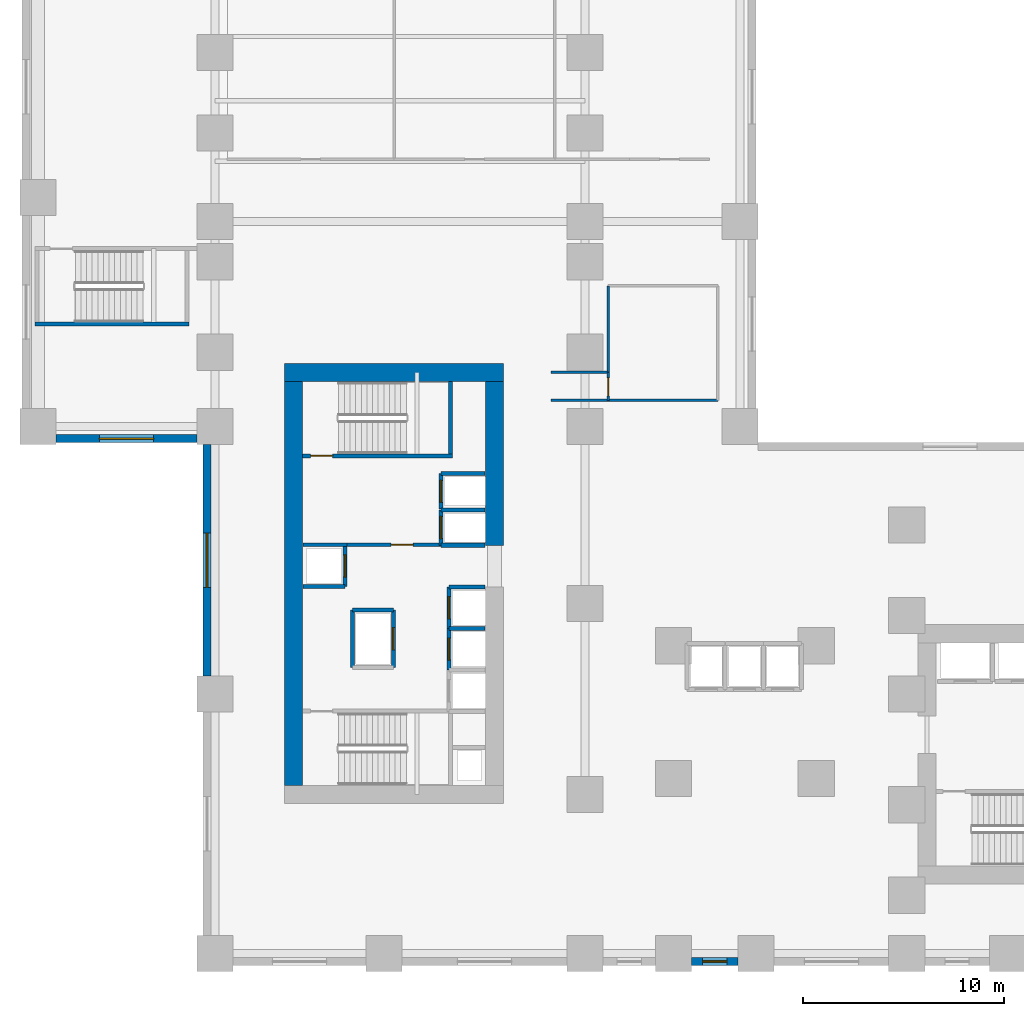
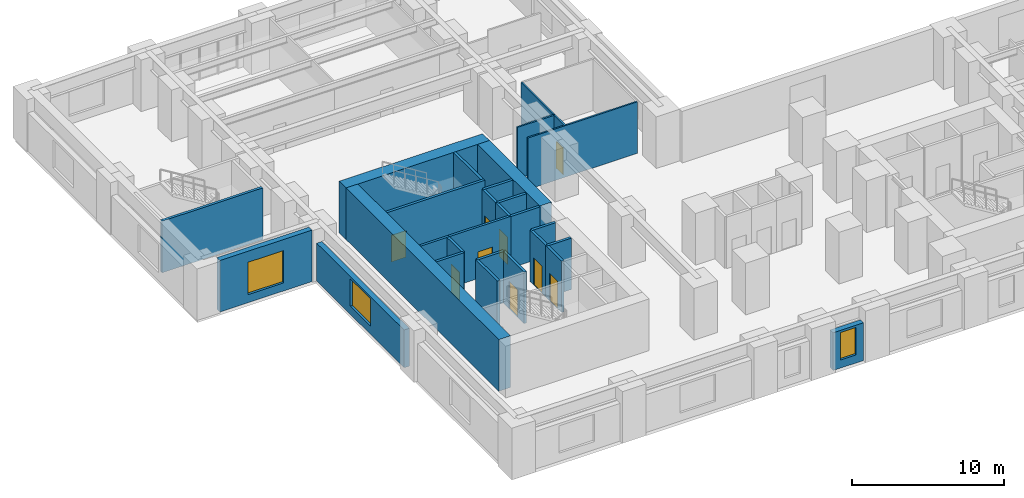
# One storey, part 5 of 11: 29 walls, 9 doors, 3 windows, 12 openings.
"""IFC4 building model written with IfcOpenShell, lengths in metres."""

from ifc_helpers import new_model, si_unit, direction, frame, frame_2d, origin, place, context, subcontext, project, spatial, rectangle, extrude, source, transform, mapped, material, layer, layer_set, type_object, element, fill, save


model = new_model("IFC4")

# Units and contexts
model_context = context("Model", 3, precision=1e-05, world=origin(), true_north=direction((0.0, 1.0)))
body_context = subcontext(model_context, "Body", "Model", "MODEL_VIEW")
ifc_project = project(units=[si_unit("LENGTHUNIT", "METRE"), si_unit("AREAUNIT", "SQUARE_METRE"), si_unit("VOLUMEUNIT", "CUBIC_METRE"), si_unit("PLANEANGLEUNIT", "RADIAN"), si_unit("MASSUNIT", "GRAM", prefix="KILO")], contexts=[model_context])

# Site, building, storey
site_placement = place(None, origin())
site = spatial("IfcSite", under=ifc_project, at=site_placement, CompositionType="ELEMENT")
building_placement = place(site_placement, origin())
building = spatial("IfcBuilding", under=site, at=building_placement, Name="Kharzan Plaza Tower", CompositionType="ELEMENT")
storey_placement = place(building_placement, frame((0.0, 0.0, 13.5)))
storey = spatial("IfcBuildingStorey", under=building, at=storey_placement, Name="L03", CompositionType="ELEMENT", Elevation=13.5)

# Wall, opening, door
ifc_material_1 = material(Name="Concrete C40/50", Category="concrete")
ifc_layer_1 = layer(ifc_material_1, 0.179931640625)
ifc_layer_set_1 = layer_set([ifc_layer_1], Name="Concrete C40/50")
wall_type_1 = type_object("IfcWallType", Name="WL-INT-FIRE-180", PredefinedType="PARTITIONING", material=ifc_layer_set_1)
wall_1_placement = place(storey_placement, frame((7.14990234375, 20.919921875, 0.0), z_axis=(0.0, 0.0, 1.0), x_axis=(1.0, 0.0, 0.0)))
wall_1 = element("IfcWall", 1, at=wall_1_placement, inside=storey, type_object=wall_type_1, Name="L03 Interior Partition CA-FF-S", PredefinedType="PARTITIONING", context=body_context, shape_type="SweptSolid", body=[
    extrude(rectangle(XDim=4.68017578125, YDim=0.179931640625, at=frame_2d((2.340087890625, 0.0))), origin(), (0.0, 0.0, 1.0), 4.135009765625),
])
opening_1_placement = place(wall_1_placement, frame((2.199951171875, 0.0, 0.0)))
opening_1 = element("IfcOpeningElement", 2, at=opening_1_placement, cuts=wall_1, Name="Opening FD1", PredefinedType="OPENING", context=body_context, shape_type="SweptSolid", body=[
    extrude(rectangle(XDim=1.10009765625, YDim=2.14990234375, at=frame_2d((0.550048828125, 1.074951171875))), frame((0.0, 0.099853515625, 0.0), z_axis=(0.0, -1.0, 0.0), x_axis=(1.0, 0.0, 0.0)), (0.0, 0.0, 1.0), 0.199951171875),
])
ifc_material_2 = material(Name="Fire-Rated Acoustic Vision-Panel Steel", Category="steel")
door_type_1 = type_object("IfcDoorType", Name="DR-FIRE-LOBBY", OperationType="NOTDEFINED", PredefinedType="DOOR", material=ifc_material_2)
shared_shape_1 = source(origin(), body_context, "Body", "SweptSolid", [
    extrude(rectangle(XDim=1.10009765625, YDim=2.14990234375, at=frame_2d((0.550048828125, 1.074951171875))), frame((0.0, 0.02490234375, 0.0), z_axis=(0.0, -1.0, 0.0), x_axis=(1.0, 0.0, 0.0)), (0.0, 0.0, 1.0), 0.050048828125),
])
door_1_placement = place(opening_1_placement, origin())
door_1 = element("IfcDoor", 3, at=door_1_placement, inside=storey, type_object=door_type_1, Name="L03 Firefighting Lobby Door", OperationType="SINGLE_SWING_RIGHT", OverallHeight=2.14990234375, OverallWidth=1.10009765625, PredefinedType="DOOR", context=body_context, shape_type="MappedRepresentation", body=[
    mapped(shared_shape_1, transform((0.0, 0.0, 0.0), x_axis=(1.0, 0.0, 0.0), y_axis=(0.0, 1.0, 0.0), z_axis=(0.0, 0.0, 1.0))),
])
fill(opening_1, door_1)

ifc_material_3 = material(Name="Fire-Rated Gypsum Board Partition", Category="gypsum")
ifc_layer_2 = layer(ifc_material_3, 0.125)
ifc_layer_set_2 = layer_set([ifc_layer_2], Name="Fire-Rated Gypsum Board Partition")
wall_type_2 = type_object("IfcWallType", Name="WL-INT-PART-125", PredefinedType="PARTITIONING", material=ifc_layer_set_2)
wall_2_placement = place(storey_placement, frame((20.14990234375, 28.10009765625, 0.0), z_axis=(0.0, 0.0, 1.0), x_axis=(0.0, 1.0, 0.0)))
wall_2 = element("IfcWall", 4, at=wall_2_placement, inside=storey, type_object=wall_type_2, Name="L03 Interior Partition L03-WCPW", PredefinedType="PARTITIONING", context=body_context, shape_type="SweptSolid", body=[
    extrude(rectangle(XDim=1.39990234375, YDim=0.125, at=frame_2d((0.699951171875, 0.0))), origin(), (0.0, 0.0, 1.0), 4.135009765625),
])
opening_2_placement = place(wall_2_placement, frame((0.22509765625, 0.0, 0.0)))
opening_2 = element("IfcOpeningElement", 5, at=opening_2_placement, cuts=wall_2, Name="Opening WD1", PredefinedType="OPENING", context=body_context, shape_type="SweptSolid", body=[
    extrude(rectangle(XDim=0.89990234375, YDim=2.14990234375, at=frame_2d((0.449951171875, 1.074951171875))), frame((0.0, 0.072509765625, 0.0), z_axis=(0.0, -1.0, 0.0), x_axis=(1.0, 0.0, 0.0)), (0.0, 0.0, 1.0), 0.14501953125),
])
ifc_material_4 = material(Name="Moisture-Resistant Fire-Rated Laminate", Category="timber")
door_type_2 = type_object("IfcDoorType", Name="DR-WC-900", OperationType="NOTDEFINED", PredefinedType="DOOR", material=ifc_material_4)
shared_shape_2 = source(origin(), body_context, "Body", "SweptSolid", [
    extrude(rectangle(XDim=0.89990234375, YDim=2.14990234375, at=frame_2d((0.449951171875, 1.074951171875))), frame((0.0, 0.02490234375, 0.0), z_axis=(0.0, -1.0, 0.0), x_axis=(1.0, 0.0, 0.0)), (0.0, 0.0, 1.0), 0.050048828125),
])
door_2_placement = place(opening_2_placement, origin())
door_2 = element("IfcDoor", 6, at=door_2_placement, inside=storey, type_object=door_type_2, Name="L03 L03 Washroom Door", OperationType="SINGLE_SWING_LEFT", OverallHeight=2.14990234375, OverallWidth=0.89990234375, PredefinedType="DOOR", context=body_context, shape_type="MappedRepresentation", body=[
    mapped(shared_shape_2, transform((0.0, 0.0, 0.0), x_axis=(1.0, 0.0, 0.0), y_axis=(0.0, 1.0, 0.0), z_axis=(0.0, 0.0, 1.0))),
])
fill(opening_2, door_2)

ifc_layer_3 = layer(ifc_material_1, 0.199951171875)
ifc_layer_set_3 = layer_set([ifc_layer_3], Name="Concrete C40/50")
wall_type_3 = type_object("IfcWallType", Name="WL-INT-SHAFT-200", PredefinedType="PARTITIONING", material=ifc_layer_set_3)
wall_3_placement = place(storey_placement, frame((11.830078125, 20.89990234375, 0.0), z_axis=(0.0, 0.0, 1.0), x_axis=(0.0, 1.0, 0.0)))
wall_3 = element("IfcWall", 7, at=wall_3_placement, inside=storey, type_object=wall_type_3, Name="L03 Interior Partition SHF-FFL-1-W", PredefinedType="PARTITIONING", context=body_context, shape_type="SweptSolid", body=[
    extrude(rectangle(XDim=1.760009765625, YDim=0.199951171875, at=frame_2d((0.8798828125, 0.0))), origin(), (0.0, 0.0, 1.0), 4.135009765625),
])
opening_3_placement = place(wall_3_placement, frame((0.330078125, 0.0, 0.0)))
opening_3 = element("IfcOpeningElement", 8, at=opening_3_placement, cuts=wall_3, Name="Opening LD", PredefinedType="OPENING", context=body_context, shape_type="SweptSolid", body=[
    extrude(rectangle(XDim=1.10009765625, YDim=2.199951171875, at=frame_2d((0.550048828125, 1.10009765625))), frame((0.0, 0.10986328125, 0.0), z_axis=(0.0, -1.0, 0.0), x_axis=(1.0, 0.0, 0.0)), (0.0, 0.0, 1.0), 0.219970703125),
])
ifc_material_5 = material(Name="Brushed Stainless Steel", Category="steel")
door_type_3 = type_object("IfcDoorType", Name="DR-LIFT-SLIDE", OperationType="SLIDING_TO_LEFT", PredefinedType="DOOR", material=ifc_material_5)
shared_shape_3 = source(origin(), body_context, "Body", "SweptSolid", [
    extrude(rectangle(XDim=1.10009765625, YDim=2.199951171875, at=frame_2d((0.550048828125, 1.10009765625))), frame((0.0, 0.02490234375, 0.0), z_axis=(0.0, -1.0, 0.0), x_axis=(1.0, 0.0, 0.0)), (0.0, 0.0, 1.0), 0.050048828125),
])
door_3_placement = place(opening_3_placement, origin())
door_3 = element("IfcDoor", 9, at=door_3_placement, inside=storey, type_object=door_type_3, Name="L03 Firefighting Lift FFL-1 Sliding Landing Door", OperationType="SLIDING_TO_LEFT", OverallHeight=2.199951171875, OverallWidth=1.10009765625, PredefinedType="DOOR", context=body_context, shape_type="MappedRepresentation", body=[
    mapped(shared_shape_3, transform((0.0, 0.0, 0.0), x_axis=(1.0, 0.0, 0.0), y_axis=(0.0, 1.0, 0.0), z_axis=(0.0, 0.0, 1.0))),
])
fill(opening_3, door_3)

wall_4_placement = place(storey_placement, frame((11.830078125, 22.699951171875, 0.0), z_axis=(0.0, 0.0, 1.0), x_axis=(0.0, 1.0, 0.0)))
wall_4 = element("IfcWall", 10, at=wall_4_placement, inside=storey, type_object=wall_type_3, Name="L03 Interior Partition SHF-FFL-2-W", PredefinedType="PARTITIONING", context=body_context, shape_type="SweptSolid", body=[
    extrude(rectangle(XDim=1.760009765625, YDim=0.199951171875, at=frame_2d((0.8798828125, 0.0))), origin(), (0.0, 0.0, 1.0), 4.135009765625),
])
opening_4_placement = place(wall_4_placement, frame((0.330078125, 0.0, 0.0)))
opening_4 = element("IfcOpeningElement", 11, at=opening_4_placement, cuts=wall_4, Name="Opening LD", PredefinedType="OPENING", context=body_context, shape_type="SweptSolid", body=[
    extrude(rectangle(XDim=1.10009765625, YDim=2.199951171875, at=frame_2d((0.550048828125, 1.10009765625))), frame((0.0, 0.10986328125, 0.0), z_axis=(0.0, -1.0, 0.0), x_axis=(1.0, 0.0, 0.0)), (0.0, 0.0, 1.0), 0.219970703125),
])
door_4_placement = place(opening_4_placement, origin())
door_4 = element("IfcDoor", 12, at=door_4_placement, inside=storey, type_object=door_type_3, Name="L03 Firefighting Lift FFL-2 Sliding Landing Door", OperationType="SLIDING_TO_LEFT", OverallHeight=2.199951171875, OverallWidth=1.10009765625, PredefinedType="DOOR", context=body_context, shape_type="MappedRepresentation", body=[
    mapped(shared_shape_3, transform((0.0, 0.0, 0.0), x_axis=(1.0, 0.0, 0.0), y_axis=(0.0, 1.0, 0.0), z_axis=(0.0, 0.0, 1.0))),
])
fill(opening_4, door_4)

wall_5_placement = place(storey_placement, frame((12.22998046875, 14.699951171875, 0.0), z_axis=(0.0, 0.0, 1.0), x_axis=(0.0, 1.0, 0.0)))
wall_5 = element("IfcWall", 13, at=wall_5_placement, inside=storey, type_object=wall_type_3, Name="L03 Interior Partition SHF-PL-H2-W", PredefinedType="PARTITIONING", context=body_context, shape_type="SweptSolid", body=[
    extrude(rectangle(XDim=2.070068359375, YDim=0.199951171875, at=frame_2d((1.03515625, 0.0))), origin(), (0.0, 0.0, 1.0), 4.135009765625),
])
opening_5_placement = place(wall_5_placement, frame((0.485107421875, 0.0, 0.0)))
opening_5 = element("IfcOpeningElement", 14, at=opening_5_placement, cuts=wall_5, Name="Opening LD", PredefinedType="OPENING", context=body_context, shape_type="SweptSolid", body=[
    extrude(rectangle(XDim=1.10009765625, YDim=2.199951171875, at=frame_2d((0.550048828125, 1.10009765625))), frame((0.0, 0.10986328125, 0.0), z_axis=(0.0, -1.0, 0.0), x_axis=(1.0, 0.0, 0.0)), (0.0, 0.0, 1.0), 0.219970703125),
])
door_5_placement = place(opening_5_placement, origin())
door_5 = element("IfcDoor", 15, at=door_5_placement, inside=storey, type_object=door_type_3, Name="L03 High-Rise Passenger Lift PL-H2 Sliding Landing Door", OperationType="SLIDING_TO_LEFT", OverallHeight=2.199951171875, OverallWidth=1.10009765625, PredefinedType="DOOR", context=body_context, shape_type="MappedRepresentation", body=[
    mapped(shared_shape_3, transform((0.0, 0.0, 0.0), x_axis=(1.0, 0.0, 0.0), y_axis=(0.0, 1.0, 0.0), z_axis=(0.0, 0.0, 1.0))),
])
fill(opening_5, door_5)

wall_6_placement = place(storey_placement, frame((12.22998046875, 16.77001953125, 0.0), z_axis=(0.0, 0.0, 1.0), x_axis=(0.0, 1.0, 0.0)))
wall_6 = element("IfcWall", 16, at=wall_6_placement, inside=storey, type_object=wall_type_3, Name="L03 Interior Partition SHF-PL-H3-W", PredefinedType="PARTITIONING", context=body_context, shape_type="SweptSolid", body=[
    extrude(rectangle(XDim=2.050048828125, YDim=0.199951171875, at=frame_2d((1.02490234375, 0.0))), origin(), (0.0, 0.0, 1.0), 4.135009765625),
])
opening_6_placement = place(wall_6_placement, frame((0.47509765625, 0.0, 0.0)))
opening_6 = element("IfcOpeningElement", 17, at=opening_6_placement, cuts=wall_6, Name="Opening LD", PredefinedType="OPENING", context=body_context, shape_type="SweptSolid", body=[
    extrude(rectangle(XDim=1.10009765625, YDim=2.199951171875, at=frame_2d((0.550048828125, 1.10009765625))), frame((0.0, 0.10986328125, 0.0), z_axis=(0.0, -1.0, 0.0), x_axis=(1.0, 0.0, 0.0)), (0.0, 0.0, 1.0), 0.219970703125),
])
door_6_placement = place(opening_6_placement, origin())
door_6 = element("IfcDoor", 18, at=door_6_placement, inside=storey, type_object=door_type_3, Name="L03 High-Rise Passenger Lift PL-H3 Sliding Landing Door", OperationType="SLIDING_TO_LEFT", OverallHeight=2.199951171875, OverallWidth=1.10009765625, PredefinedType="DOOR", context=body_context, shape_type="MappedRepresentation", body=[
    mapped(shared_shape_3, transform((0.0, 0.0, 0.0), x_axis=(1.0, 0.0, 0.0), y_axis=(0.0, 1.0, 0.0), z_axis=(0.0, 0.0, 1.0))),
])
fill(opening_6, door_6)

wall_7_placement = place(storey_placement, frame((7.070068359375, 18.840087890625, 0.0), z_axis=(0.0, 0.0, 1.0), x_axis=(0.0, 1.0, 0.0)))
wall_7 = element("IfcWall", 19, at=wall_7_placement, inside=storey, type_object=wall_type_3, Name="L03 Interior Partition SHF-PL-H4-E", PredefinedType="PARTITIONING", context=body_context, shape_type="SweptSolid", body=[
    extrude(rectangle(XDim=2.059814453125, YDim=0.199951171875, at=frame_2d((1.02978515625, 0.0))), origin(), (0.0, 0.0, 1.0), 4.135009765625),
])
opening_7_placement = place(wall_7_placement, frame((0.47998046875, 0.0, 0.0)))
opening_7 = element("IfcOpeningElement", 20, at=opening_7_placement, cuts=wall_7, Name="Opening LD", PredefinedType="OPENING", context=body_context, shape_type="SweptSolid", body=[
    extrude(rectangle(XDim=1.10009765625, YDim=2.199951171875, at=frame_2d((0.550048828125, 1.10009765625))), frame((0.0, 0.10986328125, 0.0), z_axis=(0.0, -1.0, 0.0), x_axis=(1.0, 0.0, 0.0)), (0.0, 0.0, 1.0), 0.219970703125),
])
door_7_placement = place(opening_7_placement, origin())
door_7 = element("IfcDoor", 21, at=door_7_placement, inside=storey, type_object=door_type_3, Name="L03 High-Rise Passenger Lift PL-H4 Sliding Landing Door", OperationType="SLIDING_TO_LEFT", OverallHeight=2.199951171875, OverallWidth=1.10009765625, PredefinedType="DOOR", context=body_context, shape_type="MappedRepresentation", body=[
    mapped(shared_shape_3, transform((0.0, 0.0, 0.0), x_axis=(1.0, 0.0, 0.0), y_axis=(0.0, 1.0, 0.0), z_axis=(0.0, 0.0, 1.0))),
])
fill(opening_7, door_7)

wall_8_placement = place(storey_placement, frame((9.469970703125, 14.830078125, 0.0), z_axis=(0.0, 0.0, 1.0), x_axis=(0.0, 1.0, 0.0)))
wall_8 = element("IfcWall", 22, at=wall_8_placement, inside=storey, type_object=wall_type_3, Name="L03 Interior Partition SHF-SVL-1-E", PredefinedType="PARTITIONING", context=body_context, shape_type="SweptSolid", body=[
    extrude(rectangle(XDim=2.83984375, YDim=0.199951171875, at=frame_2d((1.419921875, 0.0))), origin(), (0.0, 0.0, 1.0), 4.135009765625),
])
opening_8_placement = place(wall_8_placement, frame((0.8701171875, 0.0, 0.0)))
opening_8 = element("IfcOpeningElement", 23, at=opening_8_placement, cuts=wall_8, Name="Opening LD", PredefinedType="OPENING", context=body_context, shape_type="SweptSolid", body=[
    extrude(rectangle(XDim=1.10009765625, YDim=2.199951171875, at=frame_2d((0.550048828125, 1.10009765625))), frame((0.0, 0.10986328125, 0.0), z_axis=(0.0, -1.0, 0.0), x_axis=(1.0, 0.0, 0.0)), (0.0, 0.0, 1.0), 0.219970703125),
])
door_8_placement = place(opening_8_placement, origin())
door_8 = element("IfcDoor", 24, at=door_8_placement, inside=storey, type_object=door_type_3, Name="L03 Service Lift SVL-1 Sliding Landing Door", OperationType="SLIDING_TO_LEFT", OverallHeight=2.199951171875, OverallWidth=1.10009765625, PredefinedType="DOOR", context=body_context, shape_type="MappedRepresentation", body=[
    mapped(shared_shape_3, transform((0.0, 0.0, 0.0), x_axis=(1.0, 0.0, 0.0), y_axis=(0.0, 1.0, 0.0), z_axis=(0.0, 0.0, 1.0))),
])
fill(opening_8, door_8)

# Wall, opening, window
ifc_layer_4 = layer(ifc_material_1, 0.39990234375)
ifc_layer_set_4 = layer_set([ifc_layer_4], Name="Concrete C40/50")
wall_type_4 = type_object("IfcWallType", Name="WL-POD-MAS-400", PredefinedType="SOLIDWALL", material=ifc_layer_set_4)
wall_9_placement = place(storey_placement, frame((-7.302001953125, 26.199951171875, 0.0), z_axis=(0.0, 0.0, 1.0), x_axis=(1.0, 0.0, 0.0)))
wall_9 = element("IfcWall", 25, at=wall_9_placement, inside=storey, type_object=wall_type_4, Name="L03 Masonry-Frame Exterior Wall 13", PredefinedType="SOLIDWALL", context=body_context, shape_type="SweptSolid", body=[
    extrude(rectangle(XDim=7.00390625, YDim=0.39990234375, at=frame_2d((3.501953125, 0.0))), origin(), (0.0, 0.0, 1.0), 4.135009765625),
])
opening_9_placement = place(wall_9_placement, frame((2.152099609375, 0.0, 0.64990234375)))
opening_9 = element("IfcOpeningElement", 26, at=opening_9_placement, cuts=wall_9, Name="Opening W4", PredefinedType="OPENING", context=body_context, shape_type="SweptSolid", body=[
    extrude(rectangle(XDim=2.699951171875, YDim=2.60009765625, at=frame_2d((1.35009765625, 1.300048828125))), frame((0.0, 0.2099609375, 0.0), z_axis=(0.0, -1.0, 0.0), x_axis=(1.0, 0.0, 0.0)), (0.0, 0.0, 1.0), 0.419921875),
])
ifc_material_6 = material(Name="Low-E Double Glazing", Category="glass")
window_type_1 = type_object("IfcWindowType", Name="WN-POD-2700x2600", PartitioningType="SINGLE_PANEL", PredefinedType="WINDOW", material=ifc_material_6)
shared_shape_4 = source(origin(), body_context, "Body", "SweptSolid", [
    extrude(rectangle(XDim=2.699951171875, YDim=2.60009765625, at=frame_2d((1.35009765625, 1.300048828125))), frame((0.0, 0.030029296875, 0.0), z_axis=(0.0, -1.0, 0.0), x_axis=(1.0, 0.0, 0.0)), (0.0, 0.0, 1.0), 0.06005859375),
])
window_1_placement = place(opening_9_placement, origin())
window_1 = element("IfcWindow", 27, at=window_1_placement, inside=storey, type_object=window_type_1, Name="L03 Recessed Solar-Control Window 13-1", OverallHeight=2.60009765625, OverallWidth=2.699951171875, PartitioningType="SINGLE_PANEL", PredefinedType="WINDOW", context=body_context, shape_type="MappedRepresentation", body=[
    mapped(shared_shape_4, transform((0.0, 0.0, 0.0), x_axis=(1.0, 0.0, 0.0), y_axis=(0.0, 1.0, 0.0), z_axis=(0.0, 0.0, 1.0))),
])
fill(opening_9, window_1)

wall_10_placement = place(storey_placement, frame((0.199951171875, 25.902099609375, 0.0), z_axis=(0.0, 0.0, 1.0), x_axis=(0.0, -1.0, 0.0)))
wall_10 = element("IfcWall", 28, at=wall_10_placement, inside=storey, type_object=wall_type_4, Name="L03 Masonry-Frame Exterior Wall 14", PredefinedType="SOLIDWALL", context=body_context, shape_type="SweptSolid", body=[
    extrude(rectangle(XDim=11.504150390625, YDim=0.39990234375, at=frame_2d((5.751953125, 0.0))), origin(), (0.0, 0.0, 1.0), 3.034912109375),
])
opening_10_placement = place(wall_10_placement, frame((4.402099609375, 0.0, 0.64990234375)))
opening_10 = element("IfcOpeningElement", 29, at=opening_10_placement, cuts=wall_10, Name="Opening W4", PredefinedType="OPENING", context=body_context, shape_type="SweptSolid", body=[
    extrude(rectangle(XDim=2.699951171875, YDim=2.205078125, at=frame_2d((1.35009765625, 1.1025390625))), frame((0.0, 0.2099609375, 0.0), z_axis=(0.0, -1.0, 0.0), x_axis=(1.0, 0.0, 0.0)), (0.0, 0.0, 1.0), 0.419921875),
])
shared_shape_5 = source(origin(), body_context, "Body", "SweptSolid", [
    extrude(rectangle(XDim=2.699951171875, YDim=2.205078125, at=frame_2d((1.35009765625, 1.1025390625))), frame((0.0, 0.030029296875, 0.0), z_axis=(0.0, -1.0, 0.0), x_axis=(1.0, 0.0, 0.0)), (0.0, 0.0, 1.0), 0.06005859375),
])
window_2_placement = place(opening_10_placement, origin())
window_2 = element("IfcWindow", 30, at=window_2_placement, inside=storey, type_object=window_type_1, Name="L03 Recessed Solar-Control Window 14-1", OverallHeight=2.205078125, OverallWidth=2.699951171875, PartitioningType="SINGLE_PANEL", PredefinedType="WINDOW", context=body_context, shape_type="MappedRepresentation", body=[
    mapped(shared_shape_5, transform((0.0, 0.0, 0.0), x_axis=(1.0, 0.0, 0.0), y_axis=(0.0, 1.0, 0.0), z_axis=(0.0, 0.0, 1.0))),
])
fill(opening_10, window_2)

wall_11_placement = place(storey_placement, frame((24.298095703125, 0.199951171875, 0.0), z_axis=(0.0, 0.0, 1.0), x_axis=(1.0, 0.0, 0.0)))
wall_11 = element("IfcWall", 31, at=wall_11_placement, inside=storey, type_object=wall_type_4, Name="L03 Masonry-Frame Exterior Wall 19", PredefinedType="SOLIDWALL", context=body_context, shape_type="SweptSolid", body=[
    extrude(rectangle(XDim=2.303955078125, YDim=0.39990234375, at=frame_2d((1.15185546875, 0.0))), origin(), (0.0, 0.0, 1.0), 3.034912109375),
])
opening_11_placement = place(wall_11_placement, frame((0.552001953125, 0.0, 0.64990234375)))
opening_11 = element("IfcOpeningElement", 32, at=opening_11_placement, cuts=wall_11, Name="Opening W3", PredefinedType="OPENING", context=body_context, shape_type="SweptSolid", body=[
    extrude(rectangle(XDim=1.199951171875, YDim=2.205078125, at=frame_2d((0.60009765625, 1.1025390625))), frame((0.0, 0.2099609375, 0.0), z_axis=(0.0, -1.0, 0.0), x_axis=(1.0, 0.0, 0.0)), (0.0, 0.0, 1.0), 0.419921875),
])
window_type_2 = type_object("IfcWindowType", Name="WN-REC-1200x2100", PartitioningType="SINGLE_PANEL", PredefinedType="WINDOW", material=ifc_material_6)
shared_shape_6 = source(origin(), body_context, "Body", "SweptSolid", [
    extrude(rectangle(XDim=1.199951171875, YDim=2.205078125, at=frame_2d((0.60009765625, 1.1025390625))), frame((0.0, 0.030029296875, 0.0), z_axis=(0.0, -1.0, 0.0), x_axis=(1.0, 0.0, 0.0)), (0.0, 0.0, 1.0), 0.06005859375),
])
window_3_placement = place(opening_11_placement, origin())
window_3 = element("IfcWindow", 33, at=window_3_placement, inside=storey, type_object=window_type_2, Name="L03 Recessed Solar-Control Window 19-1", OverallHeight=2.205078125, OverallWidth=1.199951171875, PartitioningType="SINGLE_PANEL", PredefinedType="WINDOW", context=body_context, shape_type="MappedRepresentation", body=[
    mapped(shared_shape_6, transform((0.0, 0.0, 0.0), x_axis=(1.0, 0.0, 0.0), y_axis=(0.0, 1.0, 0.0), z_axis=(0.0, 0.0, 1.0))),
])
fill(opening_11, window_3)

# Wall, opening, door
ifc_material_7 = material(Name="Concrete C50/60", Category="concrete")
ifc_layer_5 = layer(ifc_material_7, 0.199951171875)
ifc_layer_set_5 = layer_set([ifc_layer_5], Name="Concrete C50/60")
wall_type_5 = type_object("IfcWallType", Name="WL-SHAFT-RC200", PredefinedType="SHEAR", material=ifc_layer_set_5)
wall_12_placement = place(storey_placement, frame((4.951904296875, 25.344970703125, 0.0), z_axis=(0.0, 0.0, 1.0), x_axis=(1.0, 0.0, 0.0)))
wall_12 = element("IfcWall", 34, at=wall_12_placement, inside=storey, type_object=wall_type_5, Name="L03 Stair ST-2 South RC Shaft Wall", PredefinedType="SHEAR", context=body_context, shape_type="SweptSolid", body=[
    extrude(rectangle(XDim=7.453125, YDim=0.199951171875, at=frame_2d((3.7265625, 0.0))), origin(), (0.0, 0.0, 1.0), 4.14990234375),
])
opening_12_placement = place(wall_12_placement, frame((0.39990234375, 0.0, 0.0)))
opening_12 = element("IfcOpeningElement", 35, at=opening_12_placement, cuts=wall_12, Name="Opening SD1", PredefinedType="OPENING", context=body_context, shape_type="SweptSolid", body=[
    extrude(rectangle(XDim=1.10009765625, YDim=2.14990234375, at=frame_2d((0.550048828125, 1.074951171875))), frame((0.0, 0.10986328125, 0.0), z_axis=(0.0, -1.0, 0.0), x_axis=(1.0, 0.0, 0.0)), (0.0, 0.0, 1.0), 0.219970703125),
])
ifc_material_8 = material(Name="Fire-Rated Hollow Galvanized Steel", Category="steel")
door_type_4 = type_object("IfcDoorType", Name="DR-STAIR-FD120", OperationType="NOTDEFINED", PredefinedType="DOOR", material=ifc_material_8)
shared_shape_7 = source(origin(), body_context, "Body", "SweptSolid", [
    extrude(rectangle(XDim=1.10009765625, YDim=2.14990234375, at=frame_2d((0.550048828125, 1.074951171875))), frame((0.0, 0.02490234375, 0.0), z_axis=(0.0, -1.0, 0.0), x_axis=(1.0, 0.0, 0.0)), (0.0, 0.0, 1.0), 0.050048828125),
])
door_9_placement = place(opening_12_placement, origin())
door_9 = element("IfcDoor", 36, at=door_9_placement, inside=storey, type_object=door_type_4, Name="L03 Stair ST-2 Fire Exit Door", OperationType="SINGLE_SWING_LEFT", OverallHeight=2.14990234375, OverallWidth=1.10009765625, PredefinedType="DOOR", context=body_context, shape_type="MappedRepresentation", body=[
    mapped(shared_shape_7, transform((0.0, 0.0, 0.0), x_axis=(1.0, 0.0, 0.0), y_axis=(0.0, 1.0, 0.0), z_axis=(0.0, 0.0, 1.0))),
])
fill(opening_12, door_9)

# Walls
ifc_material_9 = material(Name="Concrete C60/75", Category="concrete")
ifc_layer_6 = layer(ifc_material_9, 0.89990234375)
ifc_layer_set_6 = layer_set([ifc_layer_6], Name="Concrete C60/75")
wall_type_6 = type_object("IfcWallType", Name="WL-CORE-900", PredefinedType="SHEAR", material=ifc_layer_set_6)
shared_shape_8 = source(origin(), body_context, "Body", "SweptSolid", [
    extrude(rectangle(XDim=8.170166015625, YDim=0.89990234375, at=frame_2d((4.0849609375, 0.0))), origin(), (0.0, 0.0, 1.0), 4.14990234375),
])
wall_13_placement = place(storey_placement, frame((14.5, 20.8798828125, 0.0), z_axis=(0.0, 0.0, 1.0), x_axis=(0.0, 1.0, 0.0)))
element("IfcWall", 37, at=wall_13_placement, inside=storey, type_object=wall_type_6, Name="L03 CORE-A east shear pier 2", PredefinedType="SHEAR", context=body_context, shape_type="MappedRepresentation", body=[
    mapped(shared_shape_8, transform((0.0, 0.0, 0.0), x_axis=(1.0, 0.0, 0.0), y_axis=(0.0, 1.0, 0.0), z_axis=(0.0, 0.0, 1.0))),
])
shared_shape_9 = source(origin(), body_context, "Body", "SweptSolid", [
    extrude(rectangle(XDim=10.89990234375, YDim=0.89990234375, at=frame_2d((5.449951171875, 0.0))), origin(), (0.0, 0.0, 1.0), 4.14990234375),
])
wall_14_placement = place(storey_placement, frame((4.050048828125, 29.5, 0.0), z_axis=(0.0, 0.0, 1.0), x_axis=(1.0, 0.0, 0.0)))
element("IfcWall", 38, at=wall_14_placement, inside=storey, type_object=wall_type_6, Name="L03 CORE-A north RC shear wall", PredefinedType="SHEAR", context=body_context, shape_type="MappedRepresentation", body=[
    mapped(shared_shape_9, transform((0.0, 0.0, 0.0), x_axis=(1.0, 0.0, 0.0), y_axis=(0.0, 1.0, 0.0), z_axis=(0.0, 0.0, 1.0))),
])
shared_shape_10 = source(origin(), body_context, "Body", "SweptSolid", [
    extrude(rectangle(XDim=20.10009765625, YDim=0.89990234375, at=frame_2d((10.050048828125, 0.0))), origin(), (0.0, 0.0, 1.0), 4.14990234375),
])
wall_15_placement = place(storey_placement, frame((4.5, 8.949951171875, 0.0), z_axis=(0.0, 0.0, 1.0), x_axis=(0.0, 1.0, 0.0)))
element("IfcWall", 39, at=wall_15_placement, inside=storey, type_object=wall_type_6, Name="L03 CORE-A west RC shear wall", PredefinedType="SHEAR", context=body_context, shape_type="MappedRepresentation", body=[
    mapped(shared_shape_10, transform((0.0, 0.0, 0.0), x_axis=(1.0, 0.0, 0.0), y_axis=(0.0, 1.0, 0.0), z_axis=(0.0, 0.0, 1.0))),
])
shared_shape_11 = source(origin(), body_context, "Body", "SweptSolid", [
    extrude(rectangle(XDim=2.169921875, YDim=0.179931640625, at=frame_2d((1.0849609375, 0.0))), origin(), (0.0, 0.0, 1.0), 4.135009765625),
])
wall_16_placement = place(storey_placement, frame((4.97998046875, 20.919921875, 0.0), z_axis=(0.0, 0.0, 1.0), x_axis=(1.0, 0.0, 0.0)))
element("IfcWall", 40, at=wall_16_placement, inside=storey, type_object=wall_type_1, Name="L03 Interior Partition CA-FF-SW", PredefinedType="PARTITIONING", context=body_context, shape_type="MappedRepresentation", body=[
    mapped(shared_shape_11, transform((0.0, 0.0, 0.0), x_axis=(1.0, 0.0, 0.0), y_axis=(0.0, 1.0, 0.0), z_axis=(0.0, 0.0, 1.0))),
])
shared_shape_12 = source(origin(), body_context, "Body", "SweptSolid", [
    extrude(rectangle(XDim=2.849853515625, YDim=0.125, at=frame_2d((1.4248046875, 0.0))), origin(), (0.0, 0.0, 1.0), 4.135009765625),
])
wall_17_placement = place(storey_placement, frame((17.300048828125, 29.5, 0.0), z_axis=(0.0, 0.0, 1.0), x_axis=(1.0, 0.0, 0.0)))
element("IfcWall", 41, at=wall_17_placement, inside=storey, type_object=wall_type_2, Name="L03 Interior Partition L03-WCPN1", PredefinedType="PARTITIONING", context=body_context, shape_type="MappedRepresentation", body=[
    mapped(shared_shape_12, transform((0.0, 0.0, 0.0), x_axis=(1.0, 0.0, 0.0), y_axis=(0.0, 1.0, 0.0), z_axis=(0.0, 0.0, 1.0))),
])
shared_shape_13 = source(origin(), body_context, "Body", "SweptSolid", [
    extrude(rectangle(XDim=8.300048828125, YDim=0.125, at=frame_2d((4.14990234375, 0.0))), origin(), (0.0, 0.0, 1.0), 4.135009765625),
])
wall_18_placement = place(storey_placement, frame((17.300048828125, 28.10009765625, 0.0), z_axis=(0.0, 0.0, 1.0), x_axis=(1.0, 0.0, 0.0)))
element("IfcWall", 42, at=wall_18_placement, inside=storey, type_object=wall_type_2, Name="L03 Interior Partition L03-WCPS", PredefinedType="PARTITIONING", context=body_context, shape_type="MappedRepresentation", body=[
    mapped(shared_shape_13, transform((0.0, 0.0, 0.0), x_axis=(1.0, 0.0, 0.0), y_axis=(0.0, 1.0, 0.0), z_axis=(0.0, 0.0, 1.0))),
])
shared_shape_14 = source(origin(), body_context, "Body", "SweptSolid", [
    extrude(rectangle(XDim=4.300048828125, YDim=0.125, at=frame_2d((2.14990234375, 0.0))), origin(), (0.0, 0.0, 1.0), 4.135009765625),
])
wall_19_placement = place(storey_placement, frame((20.14990234375, 29.5, 0.0), z_axis=(0.0, 0.0, 1.0), x_axis=(0.0, 1.0, 0.0)))
element("IfcWall", 43, at=wall_19_placement, inside=storey, type_object=wall_type_2, Name="L03 Interior Partition L03-WCPV1", PredefinedType="PARTITIONING", context=body_context, shape_type="MappedRepresentation", body=[
    mapped(shared_shape_14, transform((0.0, 0.0, 0.0), x_axis=(1.0, 0.0, 0.0), y_axis=(0.0, 1.0, 0.0), z_axis=(0.0, 0.0, 1.0))),
])
shared_shape_15 = source(origin(), body_context, "Body", "SweptSolid", [
    extrude(rectangle(XDim=2.18994140625, YDim=0.199951171875, at=frame_2d((1.094970703125, 0.0))), origin(), (0.0, 0.0, 1.0), 4.135009765625),
])
for number, where, z_axis, x_axis, name in (
    (44, (11.830078125, 22.659912109375, 0.0), (0.0, 0.0, 1.0), (1.0, 0.0, 0.0), "L03 Interior Partition SHF-FFL-1-N"),
    (45, (11.830078125, 20.89990234375, 0.0), (0.0, 0.0, 1.0), (1.0, 0.0, 0.0), "L03 Interior Partition SHF-FFL-1-S"),
    (46, (11.830078125, 24.4599609375, 0.0), (0.0, 0.0, 1.0), (1.0, 0.0, 0.0), "L03 Interior Partition SHF-FFL-2-N"),
):
    element("IfcWall", number, at=place(storey_placement, frame(where, z_axis=z_axis, x_axis=x_axis)), inside=storey, type_object=wall_type_3, Name=name, PredefinedType="PARTITIONING", context=body_context, shape_type="MappedRepresentation", body=[
        mapped(shared_shape_15, transform((0.0, 0.0, 0.0), x_axis=(1.0, 0.0, 0.0), y_axis=(0.0, 1.0, 0.0), z_axis=(0.0, 0.0, 1.0))),
    ])
shared_shape_16 = source(origin(), body_context, "Body", "SweptSolid", [
    extrude(rectangle(XDim=1.7900390625, YDim=0.199951171875, at=frame_2d((0.89501953125, 0.0))), origin(), (0.0, 0.0, 1.0), 4.135009765625),
])
for number, where, z_axis, x_axis, name in (
    (47, (12.22998046875, 16.77001953125, 0.0), (0.0, 0.0, 1.0), (1.0, 0.0, 0.0), "L03 Interior Partition SHF-PL-H2-N"),
    (48, (12.22998046875, 18.820068359375, 0.0), (0.0, 0.0, 1.0), (1.0, 0.0, 0.0), "L03 Interior Partition SHF-PL-H3-N"),
):
    element("IfcWall", number, at=place(storey_placement, frame(where, z_axis=z_axis, x_axis=x_axis)), inside=storey, type_object=wall_type_3, Name=name, PredefinedType="PARTITIONING", context=body_context, shape_type="MappedRepresentation", body=[
        mapped(shared_shape_16, transform((0.0, 0.0, 0.0), x_axis=(1.0, 0.0, 0.0), y_axis=(0.0, 1.0, 0.0), z_axis=(0.0, 0.0, 1.0))),
    ])
shared_shape_17 = source(origin(), body_context, "Body", "SweptSolid", [
    extrude(rectangle(XDim=2.090087890625, YDim=0.199951171875, at=frame_2d((1.044921875, 0.0))), origin(), (0.0, 0.0, 1.0), 4.135009765625),
])
wall_20_placement = place(storey_placement, frame((4.97998046875, 18.840087890625, 0.0), z_axis=(0.0, 0.0, 1.0), x_axis=(1.0, 0.0, 0.0)))
element("IfcWall", 49, at=wall_20_placement, inside=storey, type_object=wall_type_3, Name="L03 Interior Partition SHF-PL-H4-S", PredefinedType="PARTITIONING", context=body_context, shape_type="MappedRepresentation", body=[
    mapped(shared_shape_17, transform((0.0, 0.0, 0.0), x_axis=(1.0, 0.0, 0.0), y_axis=(0.0, 1.0, 0.0), z_axis=(0.0, 0.0, 1.0))),
])
shared_shape_18 = source(origin(), body_context, "Body", "SweptSolid", [
    extrude(rectangle(XDim=2.0400390625, YDim=0.199951171875, at=frame_2d((1.02001953125, 0.0))), origin(), (0.0, 0.0, 1.0), 4.135009765625),
])
wall_21_placement = place(storey_placement, frame((7.429931640625, 17.669921875, 0.0), z_axis=(0.0, 0.0, 1.0), x_axis=(1.0, 0.0, 0.0)))
element("IfcWall", 50, at=wall_21_placement, inside=storey, type_object=wall_type_3, Name="L03 Interior Partition SHF-SVL-1-N", PredefinedType="PARTITIONING", context=body_context, shape_type="MappedRepresentation", body=[
    mapped(shared_shape_18, transform((0.0, 0.0, 0.0), x_axis=(1.0, 0.0, 0.0), y_axis=(0.0, 1.0, 0.0), z_axis=(0.0, 0.0, 1.0))),
])
shared_shape_19 = source(origin(), body_context, "Body", "SweptSolid", [
    extrude(rectangle(XDim=2.83984375, YDim=0.199951171875, at=frame_2d((1.419921875, 0.0))), origin(), (0.0, 0.0, 1.0), 4.135009765625),
])
wall_22_placement = place(storey_placement, frame((7.429931640625, 14.830078125, 0.0), z_axis=(0.0, 0.0, 1.0), x_axis=(0.0, 1.0, 0.0)))
element("IfcWall", 51, at=wall_22_placement, inside=storey, type_object=wall_type_3, Name="L03 Interior Partition SHF-SVL-1-W", PredefinedType="PARTITIONING", context=body_context, shape_type="MappedRepresentation", body=[
    mapped(shared_shape_19, transform((0.0, 0.0, 0.0), x_axis=(1.0, 0.0, 0.0), y_axis=(0.0, 1.0, 0.0), z_axis=(0.0, 0.0, 1.0))),
])
shared_shape_20 = source(origin(), body_context, "Body", "SweptSolid", [
    extrude(rectangle(XDim=3.60302734375, YDim=0.199951171875, at=frame_2d((1.801513671875, 0.0))), origin(), (0.0, 0.0, 1.0), 4.14990234375),
])
wall_23_placement = place(storey_placement, frame((12.304931640625, 25.445068359375, 0.0), z_axis=(0.0, 0.0, 1.0), x_axis=(0.0, 1.0, 0.0)))
element("IfcWall", 52, at=wall_23_placement, inside=storey, type_object=wall_type_5, Name="L03 Stair ST-2 East RC Shaft Wall", PredefinedType="SHEAR", context=body_context, shape_type="MappedRepresentation", body=[
    mapped(shared_shape_20, transform((0.0, 0.0, 0.0), x_axis=(1.0, 0.0, 0.0), y_axis=(0.0, 1.0, 0.0), z_axis=(0.0, 0.0, 1.0))),
])
shared_shape_21 = source(origin(), body_context, "Body", "SweptSolid", [
    extrude(rectangle(XDim=7.655029296875, YDim=0.199951171875, at=frame_2d((3.82763671875, 0.0))), origin(), (0.0, 0.0, 1.0), 4.14990234375),
])
wall_24_placement = place(storey_placement, frame((-8.35009765625, 31.89501953125, 0.0), z_axis=(0.0, 0.0, 1.0), x_axis=(1.0, 0.0, 0.0)))
element("IfcWall", 53, at=wall_24_placement, inside=storey, type_object=wall_type_5, Name="L03 Stair ST-4 South RC Shaft Wall", PredefinedType="SHEAR", context=body_context, shape_type="MappedRepresentation", body=[
    mapped(shared_shape_21, transform((0.0, 0.0, 0.0), x_axis=(1.0, 0.0, 0.0), y_axis=(0.0, 1.0, 0.0), z_axis=(0.0, 0.0, 1.0))),
])

save(model, "model.ifc")
